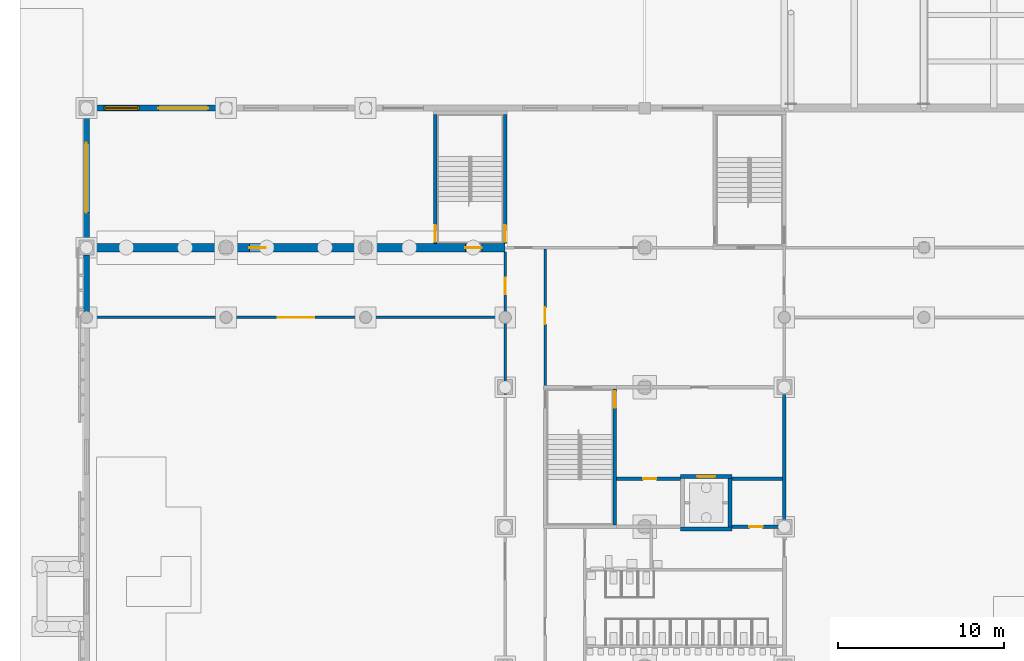
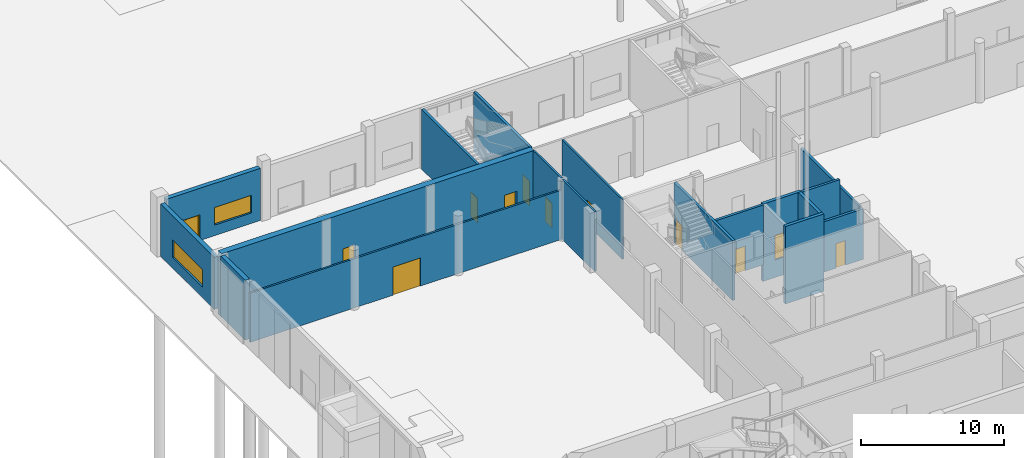
# One storey, part 18 of 74: 18 walls, 12 doors, 2 windows, 14 openings.
"""IFC4 building model written with IfcOpenShell, lengths in metres."""

from ifc_helpers import new_model, si_unit, direction, frame, frame_2d, origin, place, context, subcontext, project, spatial, rectangle, extrude, material, layer, layer_set, type_object, element, fill, save


model = new_model("IFC4")

# Units and contexts
model_context = context("Model", 3, precision=1e-05, world=origin(), true_north=direction((0.0, 1.0)))
body_context = subcontext(model_context, "Body", "Model", "MODEL_VIEW")
ifc_project = project(units=[si_unit("LENGTHUNIT", "METRE"), si_unit("AREAUNIT", "SQUARE_METRE"), si_unit("VOLUMEUNIT", "CUBIC_METRE"), si_unit("PLANEANGLEUNIT", "RADIAN"), si_unit("MASSUNIT", "GRAM", prefix="KILO")], contexts=[model_context])

# Site, building, storey
site_placement = place(None, origin())
site = spatial("IfcSite", under=ifc_project, at=site_placement, CompositionType="ELEMENT")
building_placement = place(site_placement, origin())
building = spatial("IfcBuilding", under=site, at=building_placement, Name="Rulbaag Community and Learning Centre", CompositionType="ELEMENT")
storey_placement = place(building_placement, origin())
storey = spatial("IfcBuildingStorey", under=building, at=storey_placement, Name="L00", CompositionType="ELEMENT", Elevation=0.0)

# Wall, openings, door, window
ifc_material_1 = material(Name="Concrete M40", Category="concrete")
ifc_layer_1 = layer(ifc_material_1, 0.35009765625)
ifc_layer_set_1 = layer_set([ifc_layer_1], Name="EW-CONC350")
wall_type_1 = type_object("IfcWallType", Name="EW-CONC350", PredefinedType="STANDARD", material=ifc_layer_set_1)
wall_1_placement = place(storey_placement, frame((0.449951171875, 50.39990234375, 0.0), z_axis=(0.0, 0.0, 1.0), x_axis=(1.0, 0.0, 0.0)))
wall_1 = element("IfcWall", 1, at=wall_1_placement, inside=storey, type_object=wall_type_1, Name="Board-marked concrete cladding wall AN", PredefinedType="STANDARD", context=body_context, shape_type="SweptSolid", body=[
    extrude(rectangle(XDim=7.60009765625, YDim=0.35009765625, at=frame_2d((3.800048828125, 0.0))), origin(), (0.0, 0.0, 1.0), 4.449951171875),
])
opening_1_placement = place(wall_1_placement, frame((0.60009765625, 0.0, 0.0)))
opening_1 = element("IfcOpeningElement", 2, at=opening_1_placement, cuts=wall_1, Name="Opening L00-D004", PredefinedType="OPENING", context=body_context, shape_type="SweptSolid", body=[
    extrude(rectangle(XDim=2.10009765625, YDim=2.199951171875, at=frame_2d((1.050048828125, 1.10009765625))), frame((0.0, 0.18505859375, 0.0), z_axis=(0.0, -1.0, 0.0), x_axis=(1.0, 0.0, 0.0)), (0.0, 0.0, 1.0), 0.3701171875),
])
opening_2_placement = place(wall_1_placement, frame((3.875, 0.0, 0.89990234375)))
opening_2 = element("IfcOpeningElement", 3, at=opening_2_placement, cuts=wall_1, Name="Opening WN3", PredefinedType="OPENING", context=body_context, shape_type="SweptSolid", body=[
    extrude(rectangle(XDim=3.0, YDim=1.5, at=frame_2d((1.5, 0.75))), frame((0.0, 0.18505859375, 0.0), z_axis=(0.0, -1.0, 0.0), x_axis=(1.0, 0.0, 0.0)), (0.0, 0.0, 1.0), 0.3701171875),
])
ifc_material_2 = material(Name="Aluminium", Category="aluminium")
door_type_1 = type_object("IfcDoorType", Name="DG-21", OperationType="DOUBLE_DOOR_SINGLE_SWING", PredefinedType="DOOR", material=ifc_material_2)
door_1_placement = place(opening_1_placement, origin())
door_1 = element("IfcDoor", 4, at=door_1_placement, inside=storey, type_object=door_type_1, Name="Final exit G4", OperationType="SINGLE_SWING_LEFT", OverallHeight=2.199951171875, OverallWidth=2.10009765625, PredefinedType="DOOR", context=body_context, shape_type="SweptSolid", body=[
    extrude(rectangle(XDim=2.10009765625, YDim=0.012939453125, at=frame_2d((1.050048828125, 0.006591796875))), frame((0.0, 0.114990234375, 0.0), z_axis=(0.0, -1.0, 0.0), x_axis=(1.0, 0.0, 0.0)), (0.0, 0.0, 1.0), 0.22998046875),
    extrude(rectangle(XDim=0.074951171875, YDim=2.112060546875, at=frame_2d((0.03759765625, 1.069091796875))), frame((0.0, 0.125, 0.0), z_axis=(0.0, -1.0, 0.0), x_axis=(1.0, 0.0, 0.0)), (0.0, 0.0, 1.0), 0.25),
    extrude(rectangle(XDim=0.074951171875, YDim=2.112060546875, at=frame_2d((2.0625, 1.069091796875))), frame((0.0, 0.125, 0.0), z_axis=(0.0, -1.0, 0.0), x_axis=(1.0, 0.0, 0.0)), (0.0, 0.0, 1.0), 0.25),
    extrude(rectangle(XDim=2.10009765625, YDim=0.074951171875, at=frame_2d((1.050048828125, 2.16259765625))), frame((0.0, 0.114990234375, 0.0), z_axis=(0.0, -1.0, 0.0), x_axis=(1.0, 0.0, 0.0)), (0.0, 0.0, 1.0), 0.22998046875),
    extrude(rectangle(XDim=1.9501953125, YDim=0.300048828125, at=frame_2d((1.050048828125, 0.1630859375))), frame((0.0, 0.02001953125, 0.0), z_axis=(0.0, -1.0, 0.0), x_axis=(1.0, 0.0, 0.0)), (0.0, 0.0, 1.0), 0.0400390625),
    extrude(rectangle(XDim=1.9501953125, YDim=0.1201171875, at=frame_2d((1.050048828125, 2.06494140625))), frame((0.0, 0.02001953125, 0.0), z_axis=(0.0, -1.0, 0.0), x_axis=(1.0, 0.0, 0.0)), (0.0, 0.0, 1.0), 0.0400390625),
    extrude(rectangle(XDim=0.090087890625, YDim=1.69189453125, at=frame_2d((0.119873046875, 1.158935546875))), frame((0.0, 0.02490234375, 0.0), z_axis=(0.0, -1.0, 0.0), x_axis=(1.0, 0.0, 0.0)), (0.0, 0.0, 1.0), 0.050048828125),
    extrude(rectangle(XDim=0.179931640625, YDim=1.69189453125, at=frame_2d((1.050048828125, 1.158935546875))), frame((0.0, 0.02490234375, 0.0), z_axis=(0.0, -1.0, 0.0), x_axis=(1.0, 0.0, 0.0)), (0.0, 0.0, 1.0), 0.050048828125),
    extrude(rectangle(XDim=0.090087890625, YDim=1.69189453125, at=frame_2d((1.980224609375, 1.158935546875))), frame((0.0, 0.02490234375, 0.0), z_axis=(0.0, -1.0, 0.0), x_axis=(1.0, 0.0, 0.0)), (0.0, 0.0, 1.0), 0.050048828125),
    extrude(rectangle(XDim=0.795166015625, YDim=1.69189453125, at=frame_2d((0.5625, 1.158935546875))), frame((0.0, 0.011962890625, 0.0), z_axis=(0.0, -1.0, 0.0), x_axis=(1.0, 0.0, 0.0)), (0.0, 0.0, 1.0), 0.02392578125),
    extrude(rectangle(XDim=0.795166015625, YDim=1.69189453125, at=frame_2d((1.53759765625, 1.158935546875))), frame((0.0, 0.011962890625, 0.0), z_axis=(0.0, -1.0, 0.0), x_axis=(1.0, 0.0, 0.0)), (0.0, 0.0, 1.0), 0.02392578125),
])
fill(opening_1, door_1)
window_type_1 = type_object("IfcWindowType", Name="WN-30", PartitioningType="TRIPLE_PANEL_VERTICAL", PredefinedType="WINDOW", material=ifc_material_2)
window_1_placement = place(opening_2_placement, origin())
window_1 = element("IfcWindow", 5, at=window_1_placement, inside=storey, type_object=window_type_1, Name="Window WN3", OverallHeight=1.5, OverallWidth=3.0, PartitioningType="SINGLE_PANEL", PredefinedType="WINDOW", context=body_context, shape_type="SweptSolid", body=[
    extrude(rectangle(XDim=3.0, YDim=1.5, at=frame_2d((1.5, 0.75))), frame((0.0, 0.030029296875, 0.0), z_axis=(0.0, -1.0, 0.0), x_axis=(1.0, 0.0, 0.0)), (0.0, 0.0, 1.0), 0.06005859375),
])
fill(opening_2, window_1)

# Wall
wall_2_placement = place(storey_placement, frame((0.0, 38.14990234375, 0.0), z_axis=(0.0, 0.0, 1.0), x_axis=(0.0, 1.0, 0.0)))
element("IfcWall", 6, at=wall_2_placement, inside=storey, type_object=wall_type_1, Name="Board-marked concrete cladding wall AW", PredefinedType="STANDARD", context=body_context, shape_type="SweptSolid", body=[
    extrude(rectangle(XDim=3.400146484375, YDim=0.35009765625, at=frame_2d((1.7001953125, 0.0))), origin(), (0.0, 0.0, 1.0), 5.10009765625),
])

# Wall, opening, window
wall_3_placement = place(storey_placement, frame((0.0, 42.449951171875, 0.0), z_axis=(0.0, 0.0, 1.0), x_axis=(0.0, 1.0, 0.0)))
wall_3 = element("IfcWall", 7, at=wall_3_placement, inside=storey, type_object=wall_type_1, Name="Board-marked concrete cladding wall AW", PredefinedType="STANDARD", context=body_context, shape_type="SweptSolid", body=[
    extrude(rectangle(XDim=7.5, YDim=0.35009765625, at=frame_2d((3.75, 0.0))), origin(), (0.0, 0.0, 1.0), 4.449951171875),
])
opening_3_placement = place(wall_3_placement, frame((1.64990234375, 0.0, 0.89990234375)))
opening_3 = element("IfcOpeningElement", 8, at=opening_3_placement, cuts=wall_3, Name="Opening WN4", PredefinedType="OPENING", context=body_context, shape_type="SweptSolid", body=[
    extrude(rectangle(XDim=4.199951171875, YDim=1.5, at=frame_2d((2.10009765625, 0.75))), frame((0.0, 0.18505859375, 0.0), z_axis=(0.0, -1.0, 0.0), x_axis=(1.0, 0.0, 0.0)), (0.0, 0.0, 1.0), 0.3701171875),
])
window_type_2 = type_object("IfcWindowType", Name="WN-42", PartitioningType="TRIPLE_PANEL_VERTICAL", PredefinedType="WINDOW", material=ifc_material_2)
window_2_placement = place(opening_3_placement, origin())
window_2 = element("IfcWindow", 9, at=window_2_placement, inside=storey, type_object=window_type_2, Name="Window WN4", OverallHeight=1.5, OverallWidth=4.199951171875, PartitioningType="SINGLE_PANEL", PredefinedType="WINDOW", context=body_context, shape_type="SweptSolid", body=[
    extrude(rectangle(XDim=4.199951171875, YDim=1.5, at=frame_2d((2.10009765625, 0.75))), frame((0.0, 0.030029296875, 0.0), z_axis=(0.0, -1.0, 0.0), x_axis=(1.0, 0.0, 0.0)), (0.0, 0.0, 1.0), 0.06005859375),
])
fill(opening_3, window_2)

# Wall, opening, door
ifc_material_3 = material(Name="Concrete blockwork", Category="masonry")
ifc_layer_2 = layer(ifc_material_3, 0.199951171875)
ifc_layer_set_2 = layer_set([ifc_layer_2], Name="FW-200 FIRE WALL 200")
wall_type_2 = type_object("IfcWallType", Name="FW-200 FIRE WALL 200", PredefinedType="SOLIDWALL", material=ifc_layer_set_2)
wall_4_placement = place(storey_placement, frame((38.85009765625, 25.199951171875, 0.0), z_axis=(0.0, 0.0, 1.0), x_axis=(1.0, 0.0, 0.0)))
wall_4 = element("IfcWall", 10, at=wall_4_placement, inside=storey, type_object=wall_type_2, Name="Fire wall L00 19", PredefinedType="SOLIDWALL", context=body_context, shape_type="SweptSolid", body=[
    extrude(rectangle(XDim=3.27490234375, YDim=0.199951171875, at=frame_2d((1.637451171875, 0.0))), origin(), (0.0, 0.0, 1.0), 4.300048828125),
])
opening_4_placement = place(wall_4_placement, frame((1.050048828125, 0.0, 0.0)))
opening_4 = element("IfcOpeningElement", 11, at=opening_4_placement, cuts=wall_4, Name="Opening L00-D059", PredefinedType="OPENING", context=body_context, shape_type="SweptSolid", body=[
    extrude(rectangle(XDim=0.800048828125, YDim=2.10009765625, at=frame_2d((0.39990234375, 1.050048828125))), frame((0.0, 0.10986328125, 0.0), z_axis=(0.0, -1.0, 0.0), x_axis=(1.0, 0.0, 0.0)), (0.0, 0.0, 1.0), 0.219970703125),
])
ifc_material_4 = material(Name="Galvanised steel", Category="steel")
door_type_2 = type_object("IfcDoorType", Name="FDR-800 RISER FIRE DOOR 800 x 2100", OperationType="SINGLE_SWING_LEFT", PredefinedType="DOOR", material=ifc_material_4)
door_2_placement = place(opening_4_placement, origin())
door_2 = element("IfcDoor", 12, at=door_2_placement, inside=storey, type_object=door_type_2, Name="Riser door L00-D047", OperationType="SINGLE_SWING_LEFT", OverallHeight=2.10009765625, OverallWidth=0.800048828125, PredefinedType="DOOR", context=body_context, shape_type="SweptSolid", body=[
    extrude(rectangle(XDim=0.800048828125, YDim=2.10009765625, at=frame_2d((0.39990234375, 1.050048828125))), frame((0.0, 0.02490234375, 0.0), z_axis=(0.0, -1.0, 0.0), x_axis=(1.0, 0.0, 0.0)), (0.0, 0.0, 1.0), 0.050048828125),
])
fill(opening_4, door_2)

wall_5_placement = place(storey_placement, frame((31.89990234375, 28.10009765625, 0.0), z_axis=(0.0, 0.0, 1.0), x_axis=(1.0, 0.0, 0.0)))
wall_5 = element("IfcWall", 13, at=wall_5_placement, inside=storey, type_object=wall_type_2, Name="Fire wall L00 22", PredefinedType="SOLIDWALL", context=body_context, shape_type="SweptSolid", body=[
    extrude(rectangle(XDim=3.85009765625, YDim=0.199951171875, at=frame_2d((1.925048828125, 0.0))), origin(), (0.0, 0.0, 1.0), 5.10009765625),
])
opening_5_placement = place(wall_5_placement, frame((1.60009765625, 0.0, 0.0)))
opening_5 = element("IfcOpeningElement", 14, at=opening_5_placement, cuts=wall_5, Name="Opening L00-D043", PredefinedType="OPENING", context=body_context, shape_type="SweptSolid", body=[
    extrude(rectangle(XDim=0.800048828125, YDim=2.10009765625, at=frame_2d((0.39990234375, 1.050048828125))), frame((0.0, 0.10986328125, 0.0), z_axis=(0.0, -1.0, 0.0), x_axis=(1.0, 0.0, 0.0)), (0.0, 0.0, 1.0), 0.219970703125),
])
door_3_placement = place(opening_5_placement, origin())
door_3 = element("IfcDoor", 15, at=door_3_placement, inside=storey, type_object=door_type_2, Name="Riser door L00-D046", OperationType="SINGLE_SWING_RIGHT", OverallHeight=2.10009765625, OverallWidth=0.800048828125, PredefinedType="DOOR", context=body_context, shape_type="SweptSolid", body=[
    extrude(rectangle(XDim=0.800048828125, YDim=2.10009765625, at=frame_2d((0.39990234375, 1.050048828125))), frame((0.0, 0.02490234375, 0.0), z_axis=(0.0, -1.0, 0.0), x_axis=(1.0, 0.0, 0.0)), (0.0, 0.0, 1.0), 0.050048828125),
])
fill(opening_5, door_3)

# Walls
wall_6_placement = place(storey_placement, frame((38.85009765625, 28.10009765625, 0.0), z_axis=(0.0, 0.0, 1.0), x_axis=(1.0, 0.0, 0.0)))
element("IfcWall", 16, at=wall_6_placement, inside=storey, type_object=wall_type_2, Name="Fire wall L00 23", PredefinedType="SOLIDWALL", context=body_context, shape_type="SweptSolid", body=[
    extrude(rectangle(XDim=3.0498046875, YDim=0.199951171875, at=frame_2d((1.52490234375, 0.0))), origin(), (0.0, 0.0, 1.0), 5.10009765625),
])
wall_7_placement = place(storey_placement, frame((42.0, 25.300048828125, 0.0), z_axis=(0.0, 0.0, 1.0), x_axis=(0.0, 1.0, 0.0)))
element("IfcWall", 17, at=wall_7_placement, inside=storey, type_object=wall_type_2, Name="Fire wall L00 68", PredefinedType="SOLIDWALL", context=body_context, shape_type="SweptSolid", body=[
    extrude(rectangle(XDim=8.199951171875, YDim=0.199951171875, at=frame_2d((4.10009765625, 0.0))), origin(), (0.0, 0.0, 1.0), 4.449951171875),
])

# Wall, opening, door
ifc_layer_3 = layer(ifc_material_3, 0.14990234375)
ifc_layer_set_3 = layer_set([ifc_layer_3], Name="IP-150 PARTITION 150")
wall_type_3 = type_object("IfcWallType", Name="IP-150 PARTITION 150", PredefinedType="PARTITIONING", material=ifc_layer_set_3)
wall_8_placement = place(storey_placement, frame((0.0, 37.800048828125, 0.0), z_axis=(0.0, 0.0, 1.0), x_axis=(1.0, 0.0, 0.0)))
wall_8 = element("IfcWall", 18, at=wall_8_placement, inside=storey, type_object=wall_type_3, Name="Partition L00 26", PredefinedType="PARTITIONING", context=body_context, shape_type="SweptSolid", body=[
    extrude(rectangle(XDim=25.27490234375, YDim=0.14990234375, at=frame_2d((12.637451171875, 0.0))), origin(), (0.0, 0.0, 1.0), 4.199951171875),
])
opening_6_placement = place(wall_8_placement, frame((11.5, 0.0, 0.0)))
opening_6 = element("IfcOpeningElement", 19, at=opening_6_placement, cuts=wall_8, Name="Opening L00-D010", PredefinedType="OPENING", context=body_context, shape_type="SweptSolid", body=[
    extrude(rectangle(XDim=2.199951171875, YDim=2.39990234375, at=frame_2d((1.10009765625, 1.199951171875))), frame((0.0, 0.0849609375, 0.0), z_axis=(0.0, -1.0, 0.0), x_axis=(1.0, 0.0, 0.0)), (0.0, 0.0, 1.0), 0.169921875),
])
ifc_material_5 = material(Name="Timber", Category="wood")
door_type_3 = type_object("IfcDoorType", Name="D-2200 PRAYER HALL EXIT DOOR PAIR 2200 x 2400", OperationType="DOUBLE_DOOR_SINGLE_SWING", PredefinedType="DOOR", material=ifc_material_5)
door_4_placement = place(opening_6_placement, origin())
door_4 = element("IfcDoor", 20, at=door_4_placement, inside=storey, type_object=door_type_3, Name="Door L00-D010", OperationType="DOUBLE_DOOR_SINGLE_SWING", OverallHeight=2.39990234375, OverallWidth=2.199951171875, PredefinedType="DOOR", context=body_context, shape_type="SweptSolid", body=[
    extrude(rectangle(XDim=2.199951171875, YDim=2.39990234375, at=frame_2d((1.10009765625, 1.199951171875))), frame((0.0, 0.02490234375, 0.0), z_axis=(0.0, -1.0, 0.0), x_axis=(1.0, 0.0, 0.0)), (0.0, 0.0, 1.0), 0.050048828125),
])
fill(opening_6, door_4)

# Wall
wall_9_placement = place(storey_placement, frame((25.199951171875, 33.169921875, 0.0), z_axis=(0.0, 0.0, 1.0), x_axis=(0.0, 1.0, 0.0)))
element("IfcWall", 21, at=wall_9_placement, inside=storey, type_object=wall_type_3, Name="Partition L00 57.2", PredefinedType="PARTITIONING", context=body_context, shape_type="SweptSolid", body=[
    extrude(rectangle(XDim=4.55517578125, YDim=0.14990234375, at=frame_2d((2.277587890625, 0.0))), origin(), (0.0, 0.0, 1.0), 5.10009765625),
])

# Wall, opening, door
wall_10_placement = place(storey_placement, frame((25.199951171875, 37.875, 0.0), z_axis=(0.0, 0.0, 1.0), x_axis=(0.0, 1.0, 0.0)))
wall_10 = element("IfcWall", 22, at=wall_10_placement, inside=storey, type_object=wall_type_3, Name="Partition L00 58", PredefinedType="PARTITIONING", context=body_context, shape_type="SweptSolid", body=[
    extrude(rectangle(XDim=3.875, YDim=0.14990234375, at=frame_2d((1.9375, 0.0))), origin(), (0.0, 0.0, 1.0), 5.10009765625),
])
opening_7_placement = place(wall_10_placement, frame((1.324951171875, 0.0, 0.0)))
opening_7 = element("IfcOpeningElement", 23, at=opening_7_placement, cuts=wall_10, Name="Opening L00-D018", PredefinedType="OPENING", context=body_context, shape_type="SweptSolid", body=[
    extrude(rectangle(XDim=1.0, YDim=2.10009765625, at=frame_2d((0.5, 1.050048828125))), frame((0.0, 0.0849609375, 0.0), z_axis=(0.0, -1.0, 0.0), x_axis=(1.0, 0.0, 0.0)), (0.0, 0.0, 1.0), 0.169921875),
])
door_type_4 = type_object("IfcDoorType", Name="D-1000 DOOR 1000 x 2100", OperationType="SINGLE_SWING_LEFT", PredefinedType="DOOR", material=ifc_material_5)
door_5_placement = place(opening_7_placement, origin())
door_5 = element("IfcDoor", 24, at=door_5_placement, inside=storey, type_object=door_type_4, Name="Door L00-D018", OperationType="SINGLE_SWING_LEFT", OverallHeight=2.10009765625, OverallWidth=1.0, PredefinedType="DOOR", context=body_context, shape_type="SweptSolid", body=[
    extrude(rectangle(XDim=1.0, YDim=2.10009765625, at=frame_2d((0.5, 1.050048828125))), frame((0.0, 0.02490234375, 0.0), z_axis=(0.0, -1.0, 0.0), x_axis=(1.0, 0.0, 0.0)), (0.0, 0.0, 1.0), 0.050048828125),
])
fill(opening_7, door_5)

wall_11_placement = place(storey_placement, frame((27.60009765625, 33.5, 0.0), z_axis=(0.0, 0.0, 1.0), x_axis=(0.0, 1.0, 0.0)))
wall_11 = element("IfcWall", 25, at=wall_11_placement, inside=storey, type_object=wall_type_3, Name="Partition L00 61", PredefinedType="PARTITIONING", context=body_context, shape_type="SweptSolid", body=[
    extrude(rectangle(XDim=8.425048828125, YDim=0.14990234375, at=frame_2d((4.21240234375, 0.0))), origin(), (0.0, 0.0, 1.0), 5.10009765625),
])
opening_8_placement = place(wall_11_placement, frame((3.89990234375, 0.0, 0.0)))
opening_8 = element("IfcOpeningElement", 26, at=opening_8_placement, cuts=wall_11, Name="Opening L00-D025", PredefinedType="OPENING", context=body_context, shape_type="SweptSolid", body=[
    extrude(rectangle(XDim=1.0, YDim=2.10009765625, at=frame_2d((0.5, 1.050048828125))), frame((0.0, 0.0849609375, 0.0), z_axis=(0.0, -1.0, 0.0), x_axis=(1.0, 0.0, 0.0)), (0.0, 0.0, 1.0), 0.169921875),
])
door_6_placement = place(opening_8_placement, origin())
door_6 = element("IfcDoor", 27, at=door_6_placement, inside=storey, type_object=door_type_4, Name="Door L00-D025", OperationType="SINGLE_SWING_RIGHT", OverallHeight=2.10009765625, OverallWidth=1.0, PredefinedType="DOOR", context=body_context, shape_type="SweptSolid", body=[
    extrude(rectangle(XDim=1.0, YDim=2.10009765625, at=frame_2d((0.5, 1.050048828125))), frame((0.0, 0.02490234375, 0.0), z_axis=(0.0, -1.0, 0.0), x_axis=(1.0, 0.0, 0.0)), (0.0, 0.0, 1.0), 0.050048828125),
])
fill(opening_8, door_6)

# Wall, openings, doors
ifc_layer_4 = layer(ifc_material_1, 0.5)
ifc_layer_set_4 = layer_set([ifc_layer_4], Name="W13 Shear wall 500 Concrete M40")
wall_type_4 = type_object("IfcWallType", Name="W13 Shear wall 500 Concrete M40", PredefinedType="SHEAR", material=ifc_layer_set_4)
wall_12_placement = place(storey_placement, frame((0.0, 42.0, -0.300048828125), z_axis=(0.0, 0.0, 1.0), x_axis=(1.0, 0.0, 0.0)))
wall_12 = element("IfcWall", 28, at=wall_12_placement, inside=storey, type_object=wall_type_4, Name="WL-XPN-L00", PredefinedType="SHEAR", context=body_context, shape_type="SweptSolid", body=[
    extrude(rectangle(XDim=25.199951171875, YDim=0.5, at=frame_2d((12.60009765625, 0.0))), origin(), (0.0, 0.0, 1.0), 5.400146484375),
])
opening_9_placement = place(wall_12_placement, frame((9.800048828125, 0.0, 0.300048828125)))
opening_9 = element("IfcOpeningElement", 29, at=opening_9_placement, cuts=wall_12, Name="Opening L00-D007", PredefinedType="OPENING", context=body_context, shape_type="SweptSolid", body=[
    extrude(rectangle(XDim=1.0, YDim=2.10009765625, at=frame_2d((0.5, 1.050048828125))), frame((0.0, 0.260009765625, 0.0), z_axis=(0.0, -1.0, 0.0), x_axis=(1.0, 0.0, 0.0)), (0.0, 0.0, 1.0), 0.52001953125),
])
opening_10_placement = place(wall_12_placement, frame((22.800048828125, 0.0, 0.300048828125)))
opening_10 = element("IfcOpeningElement", 30, at=opening_10_placement, cuts=wall_12, Name="Opening L00-D015", PredefinedType="OPENING", context=body_context, shape_type="SweptSolid", body=[
    extrude(rectangle(XDim=1.0, YDim=2.10009765625, at=frame_2d((0.5, 1.050048828125))), frame((0.0, 0.260009765625, 0.0), z_axis=(0.0, -1.0, 0.0), x_axis=(1.0, 0.0, 0.0)), (0.0, 0.0, 1.0), 0.52001953125),
])
door_7_placement = place(opening_9_placement, origin())
door_7 = element("IfcDoor", 31, at=door_7_placement, inside=storey, type_object=door_type_4, Name="Door L00-D007", OperationType="SINGLE_SWING_RIGHT", OverallHeight=2.10009765625, OverallWidth=1.0, PredefinedType="DOOR", context=body_context, shape_type="SweptSolid", body=[
    extrude(rectangle(XDim=1.0, YDim=2.10009765625, at=frame_2d((0.5, 1.050048828125))), frame((0.0, 0.02490234375, 0.0), z_axis=(0.0, -1.0, 0.0), x_axis=(1.0, 0.0, 0.0)), (0.0, 0.0, 1.0), 0.050048828125),
])
fill(opening_9, door_7)
door_type_5 = type_object("IfcDoorType", Name="FD-1000 FIRE DOOR 1000 x 2100", OperationType="SINGLE_SWING_LEFT", PredefinedType="DOOR", material=ifc_material_4)
door_8_placement = place(opening_10_placement, origin())
door_8 = element("IfcDoor", 32, at=door_8_placement, inside=storey, type_object=door_type_5, Name="Door L00-D015", OperationType="SINGLE_SWING_RIGHT", OverallHeight=2.10009765625, OverallWidth=1.0, PredefinedType="DOOR", context=body_context, shape_type="SweptSolid", body=[
    extrude(rectangle(XDim=1.0, YDim=2.10009765625, at=frame_2d((0.5, 1.050048828125))), frame((0.0, 0.02490234375, 0.0), z_axis=(0.0, -1.0, 0.0), x_axis=(1.0, 0.0, 0.0)), (0.0, 0.0, 1.0), 0.050048828125),
])
fill(opening_10, door_8)

# Wall
ifc_layer_5 = layer(ifc_material_1, 0.25)
ifc_layer_set_5 = layer_set([ifc_layer_5], Name="W8 Lift shaft wall 250 Concrete M40")
wall_type_5 = type_object("IfcWallType", Name="W8 Lift shaft wall 250 Concrete M40", PredefinedType="SHEAR", material=ifc_layer_set_5)
wall_13_placement = place(storey_placement, frame((35.75, 25.074951171875, -1.5), z_axis=(0.0, 0.0, 1.0), x_axis=(1.0, 0.0, 0.0)))
element("IfcWall", 33, at=wall_13_placement, inside=storey, type_object=wall_type_5, Name="WL-LH1-S-L00", PredefinedType="SHEAR", context=body_context, shape_type="SweptSolid", body=[
    extrude(rectangle(XDim=3.10009765625, YDim=0.25, at=frame_2d((1.550048828125, 0.0))), origin(), (0.0, 0.0, 1.0), 6.60009765625),
])

# Wall, opening, door
wall_14_placement = place(storey_placement, frame((35.75, 28.22509765625, -1.5), z_axis=(0.0, 0.0, 1.0), x_axis=(1.0, 0.0, 0.0)))
wall_14 = element("IfcWall", 34, at=wall_14_placement, inside=storey, type_object=wall_type_5, Name="WL-LH1-N-L00", PredefinedType="SHEAR", context=body_context, shape_type="SweptSolid", body=[
    extrude(rectangle(XDim=3.10009765625, YDim=0.25, at=frame_2d((1.550048828125, 0.0))), origin(), (0.0, 0.0, 1.0), 6.60009765625),
])
opening_11_placement = place(wall_14_placement, frame((1.0, 0.0, 1.5)))
opening_11 = element("IfcOpeningElement", 35, at=opening_11_placement, cuts=wall_14, Name="Opening L00-D052", PredefinedType="OPENING", context=body_context, shape_type="SweptSolid", body=[
    extrude(rectangle(XDim=1.10009765625, YDim=2.10009765625, at=frame_2d((0.550048828125, 1.050048828125))), frame((0.0, 0.135009765625, 0.0), z_axis=(0.0, -1.0, 0.0), x_axis=(1.0, 0.0, 0.0)), (0.0, 0.0, 1.0), 0.27001953125),
])
ifc_material_6 = material(Name="Stainless steel grade 304", Category="steel")
door_type_6 = type_object("IfcDoorType", Name="LD-1100 LIFT LANDING DOOR 1100 x 2100", OperationType="SLIDING_TO_LEFT", PredefinedType="DOOR", material=ifc_material_6)
door_9_placement = place(opening_11_placement, origin())
door_9 = element("IfcDoor", 36, at=door_9_placement, inside=storey, type_object=door_type_6, Name="Lift landing door LH1 L00", OperationType="SLIDING_TO_LEFT", OverallHeight=2.10009765625, OverallWidth=1.10009765625, PredefinedType="DOOR", context=body_context, shape_type="SweptSolid", body=[
    extrude(rectangle(XDim=1.10009765625, YDim=2.10009765625, at=frame_2d((0.550048828125, 1.050048828125))), frame((0.0, 0.02490234375, 0.0), z_axis=(0.0, -1.0, 0.0), x_axis=(1.0, 0.0, 0.0)), (0.0, 0.0, 1.0), 0.050048828125),
])
fill(opening_11, door_9)

# Wall
wall_15_placement = place(storey_placement, frame((38.72509765625, 25.199951171875, -1.5), z_axis=(0.0, 0.0, 1.0), x_axis=(0.0, 1.0, 0.0)))
element("IfcWall", 37, at=wall_15_placement, inside=storey, type_object=wall_type_5, Name="WL-LH1-E-L00", PredefinedType="SHEAR", context=body_context, shape_type="SweptSolid", body=[
    extrude(rectangle(XDim=2.900146484375, YDim=0.25, at=frame_2d((1.4501953125, 0.0))), origin(), (0.0, 0.0, 1.0), 6.60009765625),
])

# Wall, opening, door
ifc_layer_6 = layer(ifc_material_1, 0.199951171875)
ifc_layer_set_6 = layer_set([ifc_layer_6], Name="WSE Stair enclosure wall 200 Concrete M40")
wall_type_6 = type_object("IfcWallType", Name="WSE Stair enclosure wall 200 Concrete M40", PredefinedType="SHEAR", material=ifc_layer_set_6)
wall_16_placement = place(storey_placement, frame((21.0, 42.25, 0.0), z_axis=(0.0, 0.0, 1.0), x_axis=(0.0, 1.0, 0.0)))
wall_16 = element("IfcWall", 38, at=wall_16_placement, inside=storey, type_object=wall_type_6, Name="Stair enclosure wall SH0 W L00", PredefinedType="SHEAR", context=body_context, shape_type="SweptSolid", body=[
    extrude(rectangle(XDim=7.77490234375, YDim=0.199951171875, at=frame_2d((3.887451171875, 0.0))), origin(), (0.0, 0.0, 1.0), 5.10009765625),
])
opening_12_placement = place(wall_16_placement, frame((0.10009765625, 0.0, 0.0)))
opening_12 = element("IfcOpeningElement", 39, at=opening_12_placement, cuts=wall_16, Name="Opening L00-D014", PredefinedType="OPENING", context=body_context, shape_type="SweptSolid", body=[
    extrude(rectangle(XDim=1.0, YDim=2.10009765625, at=frame_2d((0.5, 1.050048828125))), frame((0.0, 0.10986328125, 0.0), z_axis=(0.0, -1.0, 0.0), x_axis=(1.0, 0.0, 0.0)), (0.0, 0.0, 1.0), 0.219970703125),
])
door_10_placement = place(opening_12_placement, origin())
door_10 = element("IfcDoor", 40, at=door_10_placement, inside=storey, type_object=door_type_5, Name="Door L00-D014", OperationType="SINGLE_SWING_LEFT", OverallHeight=2.10009765625, OverallWidth=1.0, PredefinedType="DOOR", context=body_context, shape_type="SweptSolid", body=[
    extrude(rectangle(XDim=1.0, YDim=2.10009765625, at=frame_2d((0.5, 1.050048828125))), frame((0.0, 0.02490234375, 0.0), z_axis=(0.0, -1.0, 0.0), x_axis=(1.0, 0.0, 0.0)), (0.0, 0.0, 1.0), 0.050048828125),
])
fill(opening_12, door_10)

wall_17_placement = place(storey_placement, frame((25.199951171875, 42.25, 0.0), z_axis=(0.0, 0.0, 1.0), x_axis=(0.0, 1.0, 0.0)))
wall_17 = element("IfcWall", 41, at=wall_17_placement, inside=storey, type_object=wall_type_6, Name="Stair enclosure wall SH0 E L00", PredefinedType="SHEAR", context=body_context, shape_type="SweptSolid", body=[
    extrude(rectangle(XDim=7.77490234375, YDim=0.199951171875, at=frame_2d((3.887451171875, 0.0))), origin(), (0.0, 0.0, 1.0), 5.10009765625),
])
opening_13_placement = place(wall_17_placement, frame((0.10009765625, 0.0, 0.0)))
opening_13 = element("IfcOpeningElement", 42, at=opening_13_placement, cuts=wall_17, Name="Opening L00-D019", PredefinedType="OPENING", context=body_context, shape_type="SweptSolid", body=[
    extrude(rectangle(XDim=1.0, YDim=2.10009765625, at=frame_2d((0.5, 1.050048828125))), frame((0.0, 0.10986328125, 0.0), z_axis=(0.0, -1.0, 0.0), x_axis=(1.0, 0.0, 0.0)), (0.0, 0.0, 1.0), 0.219970703125),
])
door_11_placement = place(opening_13_placement, origin())
door_11 = element("IfcDoor", 43, at=door_11_placement, inside=storey, type_object=door_type_5, Name="Door L00-D019", OperationType="SINGLE_SWING_RIGHT", OverallHeight=2.10009765625, OverallWidth=1.0, PredefinedType="DOOR", context=body_context, shape_type="SweptSolid", body=[
    extrude(rectangle(XDim=1.0, YDim=2.10009765625, at=frame_2d((0.5, 1.050048828125))), frame((0.0, 0.02490234375, 0.0), z_axis=(0.0, -1.0, 0.0), x_axis=(1.0, 0.0, 0.0)), (0.0, 0.0, 1.0), 0.050048828125),
])
fill(opening_13, door_11)

wall_18_placement = place(storey_placement, frame((31.800048828125, 25.300048828125, 0.0), z_axis=(0.0, 0.0, 1.0), x_axis=(0.0, 1.0, 0.0)))
wall_18 = element("IfcWall", 44, at=wall_18_placement, inside=storey, type_object=wall_type_6, Name="Stair enclosure wall SH1 E L00", PredefinedType="SHEAR", context=body_context, shape_type="SweptSolid", body=[
    extrude(rectangle(XDim=8.199951171875, YDim=0.199951171875, at=frame_2d((4.10009765625, 0.0))), origin(), (0.0, 0.0, 1.0), 5.10009765625),
])
opening_14_placement = place(wall_18_placement, frame((7.050048828125, 0.0, 0.0)))
opening_14 = element("IfcOpeningElement", 45, at=opening_14_placement, cuts=wall_18, Name="Opening L00-D034", PredefinedType="OPENING", context=body_context, shape_type="SweptSolid", body=[
    extrude(rectangle(XDim=1.0, YDim=2.10009765625, at=frame_2d((0.5, 1.050048828125))), frame((0.0, 0.10986328125, 0.0), z_axis=(0.0, -1.0, 0.0), x_axis=(1.0, 0.0, 0.0)), (0.0, 0.0, 1.0), 0.219970703125),
])
door_12_placement = place(opening_14_placement, origin())
door_12 = element("IfcDoor", 46, at=door_12_placement, inside=storey, type_object=door_type_5, Name="Door L00-D034", OperationType="SINGLE_SWING_RIGHT", OverallHeight=2.10009765625, OverallWidth=1.0, PredefinedType="DOOR", context=body_context, shape_type="SweptSolid", body=[
    extrude(rectangle(XDim=1.0, YDim=2.10009765625, at=frame_2d((0.5, 1.050048828125))), frame((0.0, 0.02490234375, 0.0), z_axis=(0.0, -1.0, 0.0), x_axis=(1.0, 0.0, 0.0)), (0.0, 0.0, 1.0), 0.050048828125),
])
fill(opening_14, door_12)

save(model, "model.ifc")
